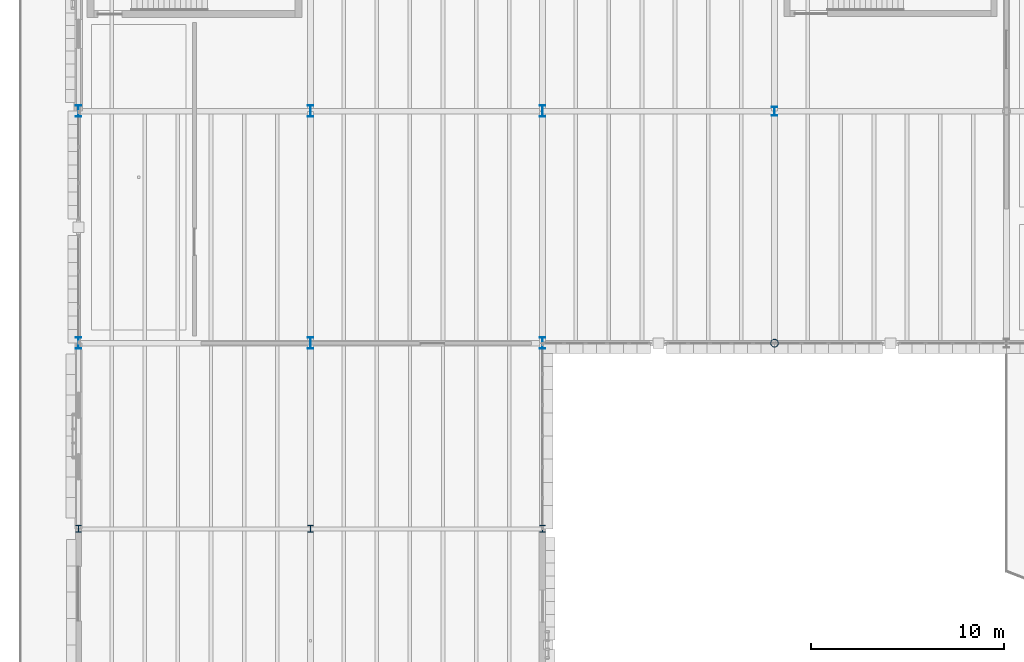
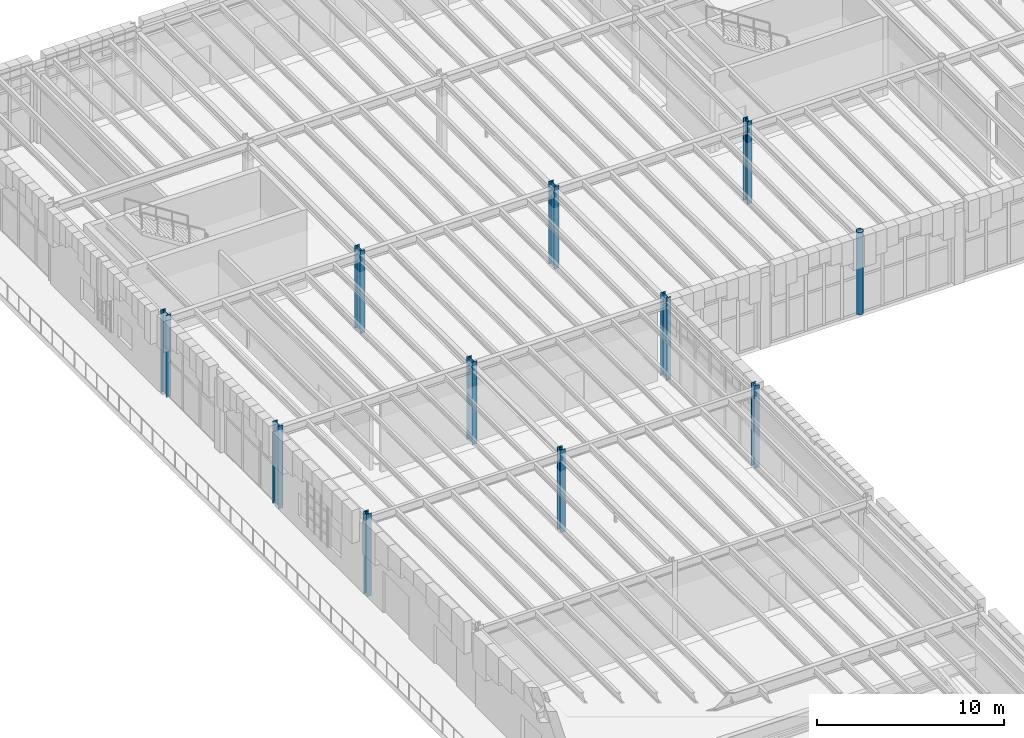
# One storey, part 4 of 103: 11 columns.
"""IFC4 building model written with IfcOpenShell, lengths in metres."""

import ifcopenshell
import ifcopenshell.guid

model = None  # the IFC model being written
_history = None  # IfcOwnerHistory: only IFC2X3 demands one
_inside = {}  # id of a spatial element -> (the spatial element, [elements in it])
_under = {}  # id of a project, library or spatial element -> (it, [spatial elements below it])
_declared = {}  # id of a project -> (the project, [libraries it declares])
_typed = {}  # id of a type object -> (the type object, [elements of that type])
_made_of = {}  # id of a material, layer set ... -> (it, [elements and type objects made of it])


def new_model(schema):
    """Start an empty IFC model of exactly this schema.

    Asked for "IFC4X3", IfcOpenShell would pick the latest addendum, in which some entities
    have other attributes; the version numbers below select the first issue.
    IFC2X3 requires an IfcOwnerHistory on every rooted entity: one is made here for all.
    """
    global model, _history
    if schema == "IFC4X3":
        model = ifcopenshell.file(schema_version=(4, 3, 0, 0))
    else:
        model = ifcopenshell.file(schema=schema)
    _inside.clear()
    _under.clear()
    _declared.clear()
    _typed.clear()
    _made_of.clear()
    _history = None
    if model.schema == "IFC2X3":
        org = make("IfcOrganization", Name="unknown")
        user = make(
            "IfcPersonAndOrganization",
            ThePerson=make("IfcPerson", FamilyName="unknown"),
            TheOrganization=org,
        )
        app = make(
            "IfcApplication",
            ApplicationDeveloper=org,
            Version="unknown",
            ApplicationFullName="unknown",
            ApplicationIdentifier="unknown",
        )
        _history = make(
            "IfcOwnerHistory",
            OwningUser=user,
            OwningApplication=app,
            ChangeAction="ADDED",
            CreationDate=0,
        )
    return model


def make(cls, **values):
    """One entity of the class cls with the attributes given. An attribute that is None is left unset."""
    return model.create_entity(
        cls, **{name: value for name, value in values.items() if value is not None}
    )


def rooted(cls, **values):
    """An entity with a GlobalId (a new one), such as an element, a storey or a relation."""
    return make(cls, GlobalId=ifcopenshell.guid.new(), OwnerHistory=_history, **values)


def si_unit(unit_type, name, prefix=None):
    """IfcSIUnit, for example si_unit("LENGTHUNIT", "METRE", prefix="MILLI")."""
    return make("IfcSIUnit", UnitType=unit_type, Prefix=prefix, Name=name)


def assignment(units):
    """IfcUnitAssignment: the units of a project."""
    return None if units is None else make("IfcUnitAssignment", Units=units)


def point(xyz):
    """IfcCartesianPoint."""
    return None if xyz is None else make("IfcCartesianPoint", Coordinates=xyz)


def direction(xyz):
    """IfcDirection."""
    return None if xyz is None else make("IfcDirection", DirectionRatios=xyz)


def frame(location, z_axis=None, x_axis=None):
    """IfcAxis2Placement3D, a coordinate frame: its origin and axes. An axis left out is left unset."""
    return make(
        "IfcAxis2Placement3D",
        Location=point(location),
        Axis=direction(z_axis),
        RefDirection=direction(x_axis),
    )


def frame_2d(location, x_axis=None):
    """IfcAxis2Placement2D, a coordinate frame in the plane: its origin and x axis."""
    return make(
        "IfcAxis2Placement2D", Location=point(location), RefDirection=direction(x_axis)
    )


def origin():
    """The frame at (0, 0, 0) with its axes left unset."""
    return frame((0.0, 0.0, 0.0))


def origin_2d():
    """The frame at (0, 0) in the plane with its x axis left unset."""
    return frame_2d((0.0, 0.0))


def place(relative_to, where):
    """IfcLocalPlacement: puts the frame where relative to a parent placement (None: the world)."""
    return make(
        "IfcLocalPlacement", PlacementRelTo=relative_to, RelativePlacement=where
    )


def context(
    kind, dimensions, precision=None, world=None, true_north=None, identifier=None
):
    """IfcGeometricRepresentationContext, for example the 3D "Model" context."""
    return make(
        "IfcGeometricRepresentationContext",
        ContextIdentifier=identifier,
        ContextType=kind,
        CoordinateSpaceDimension=dimensions,
        Precision=precision,
        WorldCoordinateSystem=world,
        TrueNorth=true_north,
    )


def subcontext(parent, identifier, kind, view, scale=None):
    """IfcGeometricRepresentationSubContext, for example "Body" below "Model"."""
    return make(
        "IfcGeometricRepresentationSubContext",
        ContextIdentifier=identifier,
        ContextType=kind,
        ParentContext=parent,
        TargetScale=scale,
        TargetView=view,
    )


def project(units=None, contexts=None):
    """IfcProject with its units and contexts."""
    return rooted(
        "IfcProject",
        Name="project",
        RepresentationContexts=contexts,
        UnitsInContext=assignment(units),
    )


def spatial(cls, under=None, at=None, **own):
    """A site, building, storey or space (cls), placed at a placement, below another one or the project."""
    s = rooted(cls, ObjectPlacement=at, **own)
    if under is not None:
        _under.setdefault(under.id(), (under, []))[1].append(s)
    return s


def profile(cls, at=None, kind="AREA", **sizes):
    """A parametric profile (cls). Its sizes go by their IFC names, for example OverallWidth=200.0."""
    return make(cls, ProfileType=kind, Position=at, **sizes)


def hollow_circle(**sizes):
    """IfcCircleHollowProfileDef."""
    return profile("IfcCircleHollowProfileDef", **sizes)


def i_section(**sizes):
    """IfcIShapeProfileDef."""
    return profile("IfcIShapeProfileDef", **sizes)


def extrude(swept, where, along, depth):
    """IfcExtrudedAreaSolid: the profile swept, set in the frame where, extruded along a direction by depth."""
    return make(
        "IfcExtrudedAreaSolid",
        SweptArea=swept,
        Position=where,
        ExtrudedDirection=direction(along),
        Depth=depth,
    )


def shape(context_of_items, identifier, shape_type, items):
    """IfcShapeRepresentation: the items that make up one representation, for example the "Body"."""
    return make(
        "IfcShapeRepresentation",
        ContextOfItems=context_of_items,
        RepresentationIdentifier=identifier,
        RepresentationType=shape_type,
        Items=items,
    )


def material(Name=None, Category=None):
    """IfcMaterial."""
    return make("IfcMaterial", Name=Name, Category=Category)


def material_profile(
    of_material, cross_section, Name=None, Category=None, Priority=None
):
    """IfcMaterialProfile: a cross section and its material."""
    return make(
        "IfcMaterialProfile",
        Name=Name,
        Material=of_material,
        Profile=cross_section,
        Priority=Priority,
        Category=Category,
    )


def profile_set(profiles, Name=None, composite=None):
    """IfcMaterialProfileSet."""
    return make(
        "IfcMaterialProfileSet",
        Name=Name,
        MaterialProfiles=profiles,
        CompositeProfile=composite,
    )


def made_of(thing, what):
    """Note that an element or type object is made of a material, layer set ...; save() writes the relation."""
    if what is not None:
        _made_of.setdefault(what.id(), (what, []))[1].append(thing)
    return thing


def type_object(cls, material=None, **own):
    """A type object (cls), such as IfcWallType, which elements share."""
    return made_of(rooted(cls, **own), material)


def element(
    cls,
    number,
    at=None,
    inside=None,
    cuts=None,
    type_object=None,
    material=None,
    context=None,
    identifier="Body",
    shape_type=None,
    held_by="IfcProductDefinitionShape",
    body=None,
    shapes=None,
    **own,
):
    """One element of the class cls, such as IfcWall. Its Tag is "e" and its number.

    at: its placement. inside: the storey or other place that contains it. cuts: it is an
    opening in that element (IfcRelVoidsElement). A single representation is given by context,
    identifier, shape_type and body (its items); several are given by shapes. held_by: the class
    of the entity that holds the representations. save() writes the other relations.
    """
    e = rooted(cls, Tag="e%d" % number, ObjectPlacement=at, **own)
    if body is not None:
        shapes = [shape(context, identifier, shape_type, body)]
    if shapes is not None:
        e.Representation = make(held_by, Representations=shapes)
    if inside is not None:
        _inside.setdefault(inside.id(), (inside, []))[1].append(e)
    if cuts is not None:
        rooted(
            "IfcRelVoidsElement", RelatingBuildingElement=cuts, RelatedOpeningElement=e
        )
    if type_object is not None:
        _typed.setdefault(type_object.id(), (type_object, []))[1].append(e)
    return made_of(e, material)


def aggregate(whole, parts):
    """IfcRelAggregates: a whole, such as a stair, and the parts it consists of."""
    return rooted("IfcRelAggregates", RelatingObject=whole, RelatedObjects=parts)


def save(model, path):
    """Write the relations noted so far, then the file.

    IfcRelAggregates (storeys below a building ...), IfcRelContainedInSpatialStructure (elements
    in a storey), IfcRelDefinesByType, IfcRelAssociatesMaterial and IfcRelDeclares: one each for
    every whole, place, type object, material and project.
    """
    for whole, parts in _under.values():
        aggregate(whole, parts)
    for where, things in _inside.values():
        rooted(
            "IfcRelContainedInSpatialStructure",
            RelatedElements=things,
            RelatingStructure=where,
        )
    for kind, things in _typed.values():
        rooted("IfcRelDefinesByType", RelatedObjects=things, RelatingType=kind)
    for what, things in _made_of.values():
        rooted("IfcRelAssociatesMaterial", RelatedObjects=things, RelatingMaterial=what)
    for by, libraries in _declared.values():
        rooted("IfcRelDeclares", RelatingContext=by, RelatedDefinitions=libraries)
    model.write(path)


model = new_model("IFC4")

# Units and contexts
model_context = context("Model", 3, precision=1e-05, world=origin(), true_north=direction((0.0, 1.0)))
body_context = subcontext(model_context, "Body", "Model", "MODEL_VIEW")
ifc_project = project(units=[si_unit("LENGTHUNIT", "METRE"), si_unit("AREAUNIT", "SQUARE_METRE"), si_unit("VOLUMEUNIT", "CUBIC_METRE"), si_unit("PLANEANGLEUNIT", "RADIAN"), si_unit("MASSUNIT", "GRAM", prefix="KILO")], contexts=[model_context])

# Site, building, storey
site_placement = place(None, origin())
site = spatial("IfcSite", under=ifc_project, at=site_placement, CompositionType="ELEMENT")
building_placement = place(site_placement, origin())
building = spatial("IfcBuilding", under=site, at=building_placement, Name="Zlatogorsky Bluff Art Gallery", CompositionType="ELEMENT")
storey_placement = place(building_placement, origin())
storey = spatial("IfcBuildingStorey", under=building, at=storey_placement, Name="L00", CompositionType="ELEMENT", Elevation=0.0)

# Columns
ifc_material = material(Name="Steel S355", Category="steel")
ifc_material_profile_1 = material_profile(ifc_material, i_section(OverallWidth=0.300048828125, OverallDepth=0.60009765625, WebThickness=0.015380859375, FlangeThickness=0.030029296875, FilletRadius=0.027099609375, at=origin_2d()), Name="HEB 600")
ifc_profile_set_1 = profile_set([ifc_material_profile_1], Name="Steel S355")
column_type_1 = type_object("IfcColumnType", Name="Column CL-01 HEB 600", PredefinedType="COLUMN", material=ifc_profile_set_1)
for number, where, z_axis, x_axis, name in (
    (1, (0.0, 84.0, 0.0), (0.0, 0.0, 1.0), (1.0, 0.0, 0.0), "Column CL-01 L00 A9"),
    (2, (0.0, 96.0, 0.0), (0.0, 0.0, 1.0), (1.0, 0.0, 0.0), "Column CL-01 L00 A10"),
    (3, (12.0, 84.0, 0.0), (0.0, 0.0, 1.0), (1.0, 0.0, 0.0), "Column CL-01 L00 B9"),
    (4, (12.0, 96.0, 0.0), (0.0, 0.0, 1.0), (1.0, 0.0, 0.0), "Column CL-01 L00 B10"),
    (5, (24.0, 84.0, 0.0), (0.0, 0.0, 1.0), (1.0, 0.0, 0.0), "Column CL-01 L00 C9"),
    (6, (24.0, 96.0, 0.0), (0.0, 0.0, 1.0), (1.0, 0.0, 0.0), "Column CL-01 L00 C10"),
):
    element("IfcColumn", number, at=place(storey_placement, frame(where, z_axis=z_axis, x_axis=x_axis)), inside=storey, type_object=column_type_1, Name=name, PredefinedType="COLUMN", context=body_context, shape_type="SweptSolid", body=[
        extrude(i_section(OverallWidth=0.300048828125, OverallDepth=0.60009765625, WebThickness=0.015380859375, FlangeThickness=0.030029296875, FilletRadius=0.027099609375, at=origin_2d()), origin(), (0.0, 0.0, 1.0), 5.39990234375),
    ])
ifc_material_profile_2 = material_profile(ifc_material, i_section(OverallWidth=0.300048828125, OverallDepth=0.449951171875, WebThickness=0.013916015625, FlangeThickness=0.02587890625, FilletRadius=0.027099609375, at=origin_2d()), Name="HEB 450")
ifc_profile_set_2 = profile_set([ifc_material_profile_2], Name="Steel S355")
column_type_2 = type_object("IfcColumnType", Name="Column CL-03 HEB 450", PredefinedType="COLUMN", material=ifc_profile_set_2)
column_1_placement = place(storey_placement, frame((36.0, 96.0, 0.0), z_axis=(0.0, 0.0, 1.0), x_axis=(1.0, 0.0, 0.0)))
element("IfcColumn", 7, at=column_1_placement, inside=storey, type_object=column_type_2, Name="Column CL-03 L00 D10", PredefinedType="COLUMN", context=body_context, shape_type="SweptSolid", body=[
    extrude(i_section(OverallWidth=0.300048828125, OverallDepth=0.449951171875, WebThickness=0.013916015625, FlangeThickness=0.02587890625, FilletRadius=0.027099609375, at=origin_2d()), origin(), (0.0, 0.0, 1.0), 5.39990234375),
])
ifc_material_profile_3 = material_profile(ifc_material, i_section(OverallWidth=0.300048828125, OverallDepth=0.360107421875, WebThickness=0.012451171875, FlangeThickness=0.0224609375, FilletRadius=0.027099609375, at=origin_2d()), Name="HEB 360")
ifc_profile_set_3 = profile_set([ifc_material_profile_3], Name="Steel S355")
column_type_3 = type_object("IfcColumnType", Name="Column CL-05 HEB 360", PredefinedType="COLUMN", material=ifc_profile_set_3)
for number, where, z_axis, x_axis, name in (
    (8, (0.0, 74.39990234375, 0.0), (0.0, 0.0, 1.0), (1.0, 0.0, 0.0), "Column CL-05 L00 A8"),
    (9, (12.0, 74.39990234375, 0.0), (0.0, 0.0, 1.0), (1.0, 0.0, 0.0), "Column CL-05 L00 B8"),
    (10, (24.0, 74.39990234375, 0.0), (0.0, 0.0, 1.0), (1.0, 0.0, 0.0), "Column CL-05 L00 C8"),
):
    element("IfcColumn", number, at=place(storey_placement, frame(where, z_axis=z_axis, x_axis=x_axis)), inside=storey, type_object=column_type_3, Name=name, PredefinedType="COLUMN", context=body_context, shape_type="SweptSolid", body=[
        extrude(i_section(OverallWidth=0.300048828125, OverallDepth=0.360107421875, WebThickness=0.012451171875, FlangeThickness=0.0224609375, FilletRadius=0.027099609375, at=origin_2d()), origin(), (0.0, 0.0, 1.0), 5.39990234375),
    ])
ifc_material_profile_4 = material_profile(ifc_material, hollow_circle(Radius=0.203125, WallThickness=0.01611328125, at=origin_2d()), Name="CHS 406.4x16")
ifc_profile_set_4 = profile_set([ifc_material_profile_4], Name="Steel S355")
column_type_4 = type_object("IfcColumnType", Name="Column CL-09 CHS 406.4x16", PredefinedType="COLUMN", material=ifc_profile_set_4)
column_2_placement = place(storey_placement, frame((36.0, 84.0, 0.0), z_axis=(0.0, 0.0, 1.0), x_axis=(1.0, 0.0, 0.0)))
element("IfcColumn", 11, at=column_2_placement, inside=storey, type_object=column_type_4, Name="Column CL-09 L00 D9", PredefinedType="COLUMN", context=body_context, shape_type="SweptSolid", body=[
    extrude(hollow_circle(Radius=0.203125, WallThickness=0.01611328125, at=origin_2d()), origin(), (0.0, 0.0, 1.0), 5.39990234375),
])

save(model, "model.ifc")
